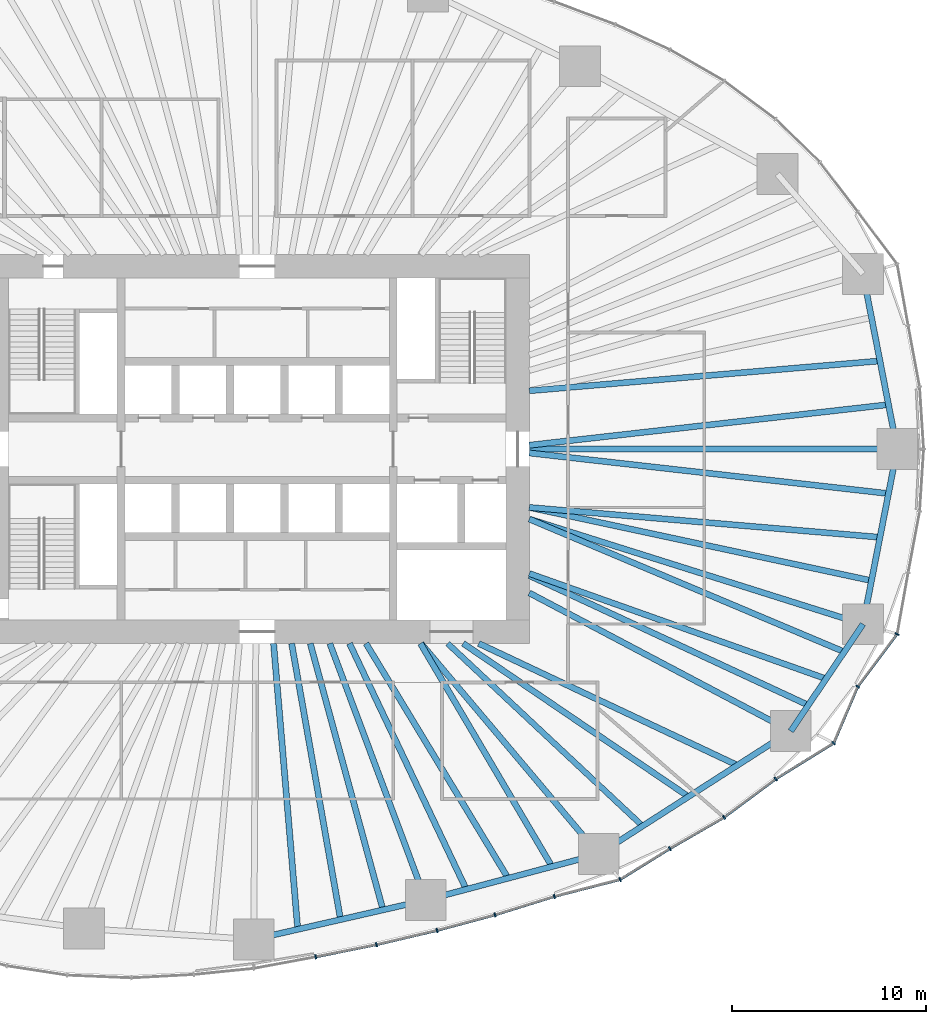
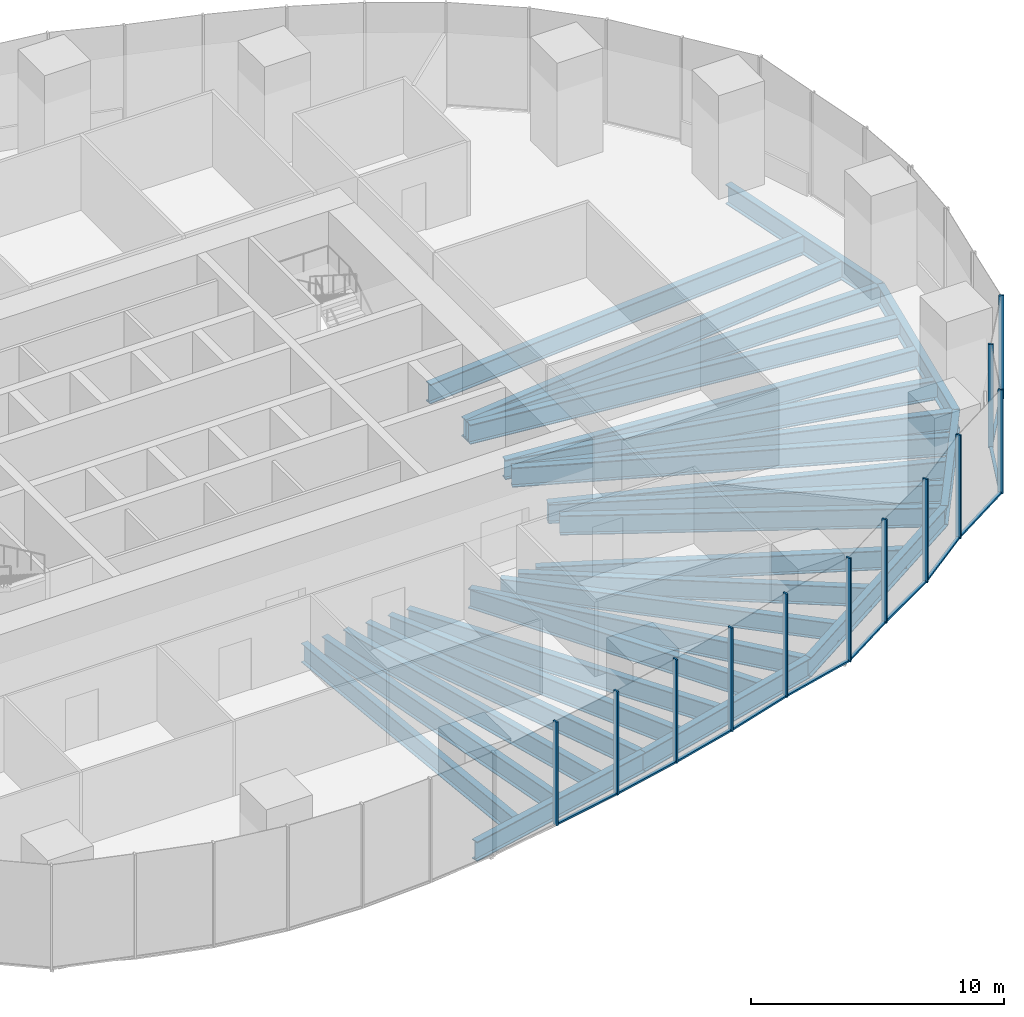
# One storey, part 4 of 20: 28 beams, 23 members, 5 elements without a shape of their own.
"""IFC4 building model written with IfcOpenShell, lengths in metres."""

from ifc_helpers import new_model, si_unit, direction, frame, origin, origin_2d, place, context, subcontext, project, spatial, rectangle, i_section, extrude, material, material_profile, profile_set, type_object, element, aggregate, save


model = new_model("IFC4")

# Units and contexts
model_context = context("Model", 3, precision=1e-05, world=origin(), true_north=direction((0.0, 1.0)))
body_context = subcontext(model_context, "Body", "Model", "MODEL_VIEW")
ifc_project = project(units=[si_unit("LENGTHUNIT", "METRE"), si_unit("AREAUNIT", "SQUARE_METRE"), si_unit("VOLUMEUNIT", "CUBIC_METRE"), si_unit("PLANEANGLEUNIT", "RADIAN"), si_unit("MASSUNIT", "GRAM", prefix="KILO")], contexts=[model_context])

# Site, building, storey
site_placement = place(None, origin())
site = spatial("IfcSite", under=ifc_project, at=site_placement, CompositionType="ELEMENT")
building_placement = place(site_placement, origin())
building = spatial("IfcBuilding", under=site, at=building_placement, Name="Ghaith Harvest Tower", CompositionType="ELEMENT")
storey_placement = place(building_placement, frame((0.0, 0.0, 45.0)))
storey = spatial("IfcBuildingStorey", under=building, at=storey_placement, Name="L09", CompositionType="ELEMENT", Elevation=45.0)

# Curtain wall, members
ifc_material_1 = material(Name="Black anodised aluminium and fritted glass", Category="aluminium")
curtain_wall_type = type_object("IfcCurtainWallType", Name="CW-F CURTAIN WALL", PredefinedType="NOTDEFINED", material=ifc_material_1)
curtain_wall_1_placement = place(storey_placement, origin())
curtain_wall_1 = element("IfcCurtainWall", 1, at=curtain_wall_1_placement, inside=storey, type_object=curtain_wall_type, Name="Curtain wall CW-F bay 16 L09", PredefinedType="NOTDEFINED")
ifc_material_2 = material(Name="Aluminium, black anodised", Category="aluminium")
ifc_material_profile_1 = material_profile(ifc_material_2, rectangle(XDim=0.080078125, YDim=0.219970703125, at=origin_2d()), Name="CW-F MULLION 80x220")
ifc_profile_set_1 = profile_set([ifc_material_profile_1], Name="Aluminium, black anodised")
member_type_1 = type_object("IfcMemberType", Name="CW-F MULLION 80x220", PredefinedType="MULLION", material=ifc_profile_set_1)
member_1_placement = place(storey_placement, frame((3.00927734375, -26.123291015625, 0.0), z_axis=(0.0, 0.0, 1.0), x_axis=(0.981818445714, 0.189822389762, 0.0)))
member_1 = element("IfcMember", 2, at=member_1_placement, type_object=member_type_1, Name="CW-F mullion 2 bay 16 L09", PredefinedType="MULLION", context=body_context, shape_type="SweptSolid", body=[
    extrude(rectangle(XDim=0.080078125, YDim=0.219970703125, at=origin_2d()), origin(), (0.0, 0.0, 1.0), 5.0),
])
member_2_placement = place(storey_placement, frame((6.136962890625, -25.495361328125, 0.0), z_axis=(0.0, 0.0, 1.0), x_axis=(0.977117973572, 0.212698062336, 0.0)))
member_2 = element("IfcMember", 3, at=member_2_placement, type_object=member_type_1, Name="CW-F mullion 3 bay 16 L09", PredefinedType="MULLION", context=body_context, shape_type="SweptSolid", body=[
    extrude(rectangle(XDim=0.080078125, YDim=0.219970703125, at=origin_2d()), origin(), (0.0, 0.0, 1.0), 5.0),
])

curtain_wall_2_placement = place(storey_placement, origin())
curtain_wall_2 = element("IfcCurtainWall", 4, at=curtain_wall_2_placement, inside=storey, type_object=curtain_wall_type, Name="Curtain wall CW-F bay 17 L09", PredefinedType="NOTDEFINED")
member_3_placement = place(storey_placement, frame((9.25732421875, -24.76318359375, 0.0), z_axis=(0.0, 0.0, 1.0), x_axis=(0.969903429248, 0.24348991341, 0.0)))
member_3 = element("IfcMember", 5, at=member_3_placement, type_object=member_type_1, Name="CW-F mullion 1 bay 17 L09", PredefinedType="MULLION", context=body_context, shape_type="SweptSolid", body=[
    extrude(rectangle(XDim=0.080078125, YDim=0.219970703125, at=origin_2d()), origin(), (0.0, 0.0, 1.0), 5.0),
])
member_4_placement = place(storey_placement, frame((12.234375, -23.964599609375, 0.0), z_axis=(0.0, 0.0, 1.0), x_axis=(0.960502189734, 0.278272426799, 0.0)))
member_4 = element("IfcMember", 6, at=member_4_placement, type_object=member_type_1, Name="CW-F mullion 2 bay 17 L09", PredefinedType="MULLION", context=body_context, shape_type="SweptSolid", body=[
    extrude(rectangle(XDim=0.080078125, YDim=0.219970703125, at=origin_2d()), origin(), (0.0, 0.0, 1.0), 5.0),
])
member_5_placement = place(storey_placement, frame((15.28759765625, -23.01611328125, 0.0), z_axis=(0.0, 0.0, 1.0), x_axis=(0.962313144018, 0.27194376781, 0.0)))
member_5 = element("IfcMember", 7, at=member_5_placement, type_object=member_type_1, Name="CW-F mullion 3 bay 17 L09", PredefinedType="MULLION", context=body_context, shape_type="SweptSolid", body=[
    extrude(rectangle(XDim=0.080078125, YDim=0.219970703125, at=origin_2d()), origin(), (0.0, 0.0, 1.0), 5.0),
])

curtain_wall_3_placement = place(storey_placement, origin())
curtain_wall_3 = element("IfcCurtainWall", 8, at=curtain_wall_3_placement, inside=storey, type_object=curtain_wall_type, Name="Curtain wall CW-F bay 18 L09", PredefinedType="NOTDEFINED")
member_6_placement = place(storey_placement, frame((18.674072265625, -22.144775390625, 0.0), z_axis=(0.0, 0.0, 1.0), x_axis=(0.923910199299, 0.382609387799, 0.0)))
member_6 = element("IfcMember", 9, at=member_6_placement, type_object=member_type_1, Name="CW-F mullion 1 bay 18 L09", PredefinedType="MULLION", context=body_context, shape_type="SweptSolid", body=[
    extrude(rectangle(XDim=0.080078125, YDim=0.219970703125, at=origin_2d()), origin(), (0.0, 0.0, 1.0), 5.0),
])
member_7_placement = place(storey_placement, frame((21.2353515625, -20.552978515625, 0.0), z_axis=(0.0, 0.0, 1.0), x_axis=(0.858140414942, 0.513415064293, 0.0)))
member_7 = element("IfcMember", 10, at=member_7_placement, type_object=member_type_1, Name="CW-F mullion 2 bay 18 L09", PredefinedType="MULLION", context=body_context, shape_type="SweptSolid", body=[
    extrude(rectangle(XDim=0.080078125, YDim=0.219970703125, at=origin_2d()), origin(), (0.0, 0.0, 1.0), 5.0),
])
member_8_placement = place(storey_placement, frame((24.018310546875, -18.947265625, 0.0), z_axis=(0.0, 0.0, 1.0), x_axis=(0.835443516838, 0.549576318788, 0.0)))
member_8 = element("IfcMember", 11, at=member_8_placement, type_object=member_type_1, Name="CW-F mullion 3 bay 18 L09", PredefinedType="MULLION", context=body_context, shape_type="SweptSolid", body=[
    extrude(rectangle(XDim=0.080078125, YDim=0.219970703125, at=origin_2d()), origin(), (0.0, 0.0, 1.0), 5.0),
])

curtain_wall_4_placement = place(storey_placement, origin())
curtain_wall_4 = element("IfcCurtainWall", 12, at=curtain_wall_4_placement, inside=storey, type_object=curtain_wall_type, Name="Curtain wall CW-F bay 19 L09", PredefinedType="NOTDEFINED")
member_9_placement = place(storey_placement, frame((26.673828125, -16.9755859375, 0.0), z_axis=(0.0, 0.0, 1.0), x_axis=(0.828002038115, 0.560725088504, 0.0)))
member_9 = element("IfcMember", 13, at=member_9_placement, type_object=member_type_1, Name="CW-F mullion 1 bay 19 L09", PredefinedType="MULLION", context=body_context, shape_type="SweptSolid", body=[
    extrude(rectangle(XDim=0.080078125, YDim=0.219970703125, at=origin_2d()), origin(), (0.0, 0.0, 1.0), 5.0),
])
member_10_placement = place(storey_placement, frame((29.659912109375, -15.126953125, 0.0), z_axis=(0.0, 0.0, 1.0), x_axis=(0.663604797505, 0.748083332743, 0.0)))
member_10 = element("IfcMember", 14, at=member_10_placement, type_object=member_type_1, Name="CW-F mullion 2 bay 19 L09", PredefinedType="MULLION", context=body_context, shape_type="SweptSolid", body=[
    extrude(rectangle(XDim=0.080078125, YDim=0.219970703125, at=origin_2d()), origin(), (0.0, 0.0, 1.0), 5.0),
])
member_11_placement = place(storey_placement, frame((30.896728515625, -12.215087890625, 0.0), z_axis=(0.0, 0.0, 1.0), x_axis=(0.5027946428, 0.864405892606, 0.0)))
member_11 = element("IfcMember", 15, at=member_11_placement, type_object=member_type_1, Name="CW-F mullion 3 bay 19 L09", PredefinedType="MULLION", context=body_context, shape_type="SweptSolid", body=[
    extrude(rectangle(XDim=0.080078125, YDim=0.219970703125, at=origin_2d()), origin(), (0.0, 0.0, 1.0), 5.0),
])

# Curtain wall, member
curtain_wall_5_placement = place(storey_placement, origin())
curtain_wall_5 = element("IfcCurtainWall", 16, at=curtain_wall_5_placement, inside=storey, type_object=curtain_wall_type, Name="Curtain wall CW-F bay 20 L09", PredefinedType="NOTDEFINED")
member_12_placement = place(storey_placement, frame((32.923583984375, -9.515625, 0.0), z_axis=(0.0, 0.0, 1.0), x_axis=(0.404701694001, 0.914448762301, 0.0)))
member_12 = element("IfcMember", 17, at=member_12_placement, type_object=member_type_1, Name="CW-F mullion 1 bay 20 L09", PredefinedType="MULLION", context=body_context, shape_type="SweptSolid", body=[
    extrude(rectangle(XDim=0.080078125, YDim=0.219970703125, at=origin_2d()), origin(), (0.0, 0.0, 1.0), 5.0),
])
aggregate(curtain_wall_5, [member_12])

# Member
ifc_material_3 = material(Name="Aluminium, black anodised", Category="aluminium")
ifc_material_profile_2 = material_profile(ifc_material_3, rectangle(XDim=0.139892578125, YDim=0.080078125, at=origin_2d()), Name="CW-F TRANSOM 140x80")
ifc_profile_set_2 = profile_set([ifc_material_profile_2], Name="Aluminium, black anodised")
member_type_2 = type_object("IfcMemberType", Name="CW-F TRANSOM 140x80", PredefinedType="USERDEFINED", material=ifc_profile_set_2)
member_13_placement = place(storey_placement, frame((3.04833984375, -26.115478515625, 0.0400390625), z_axis=(0.980432471193, 0.196855707129, 0.0), x_axis=(-0.196855707129, 0.980432471193, 0.0)))
member_13 = element("IfcMember", 18, at=member_13_placement, type_object=member_type_2, Name="CW-F transom 2 bay 16 L09", ObjectType="TRANSOM", PredefinedType="USERDEFINED", context=body_context, shape_type="SweptSolid", body=[
    extrude(rectangle(XDim=0.139892578125, YDim=0.080078125, at=origin_2d()), origin(), (0.0, 0.0, 1.0), 3.1103515625),
])

member_14_placement = place(storey_placement, frame((6.176025390625, -25.486083984375, 0.0400390625), z_axis=(0.973560415159, 0.228429678537, 0.0), x_axis=(-0.228429678537, 0.973560415159, 0.0)))
member_14 = element("IfcMember", 19, at=member_14_placement, type_object=member_type_2, Name="CW-F transom 3 bay 16 L09", ObjectType="TRANSOM", PredefinedType="USERDEFINED", context=body_context, shape_type="SweptSolid", body=[
    extrude(rectangle(XDim=0.139892578125, YDim=0.080078125, at=origin_2d()), origin(), (0.0, 0.0, 1.0), 3.125),
])

aggregate(curtain_wall_1, [member_1, member_13, member_2, member_14])

member_15_placement = place(storey_placement, frame((9.2958984375, -24.7529296875, 0.0400390625), z_axis=(0.965832908495, 0.259165570377, 0.0), x_axis=(-0.259165570377, 0.965832908495, 0.0)))
member_15 = element("IfcMember", 20, at=member_15_placement, type_object=member_type_2, Name="CW-F transom 1 bay 17 L09", ObjectType="TRANSOM", PredefinedType="USERDEFINED", context=body_context, shape_type="SweptSolid", body=[
    extrude(rectangle(XDim=0.139892578125, YDim=0.080078125, at=origin_2d()), origin(), (0.0, 0.0, 1.0), 3.002197265625),
])

member_16_placement = place(storey_placement, frame((12.2724609375, -23.95263671875, 0.0400390625), z_axis=(0.954998362353, 0.296611071781, 0.0), x_axis=(-0.296611071781, 0.954998362353, 0.0)))
member_16 = element("IfcMember", 21, at=member_16_placement, type_object=member_type_2, Name="CW-F transom 2 bay 17 L09", ObjectType="TRANSOM", PredefinedType="USERDEFINED", context=body_context, shape_type="SweptSolid", body=[
    extrude(rectangle(XDim=0.139892578125, YDim=0.080078125, at=origin_2d()), origin(), (0.0, 0.0, 1.0), 3.1171875),
])

member_17_placement = place(storey_placement, frame((15.326171875, -23.006103515625, 0.0400390625), z_axis=(0.968463874592, 0.249154015841, 0.0), x_axis=(-0.249154015841, 0.968463874592, 0.0)))
member_17 = element("IfcMember", 22, at=member_17_placement, type_object=member_type_2, Name="CW-F transom 3 bay 17 L09", ObjectType="TRANSOM", PredefinedType="USERDEFINED", context=body_context, shape_type="SweptSolid", body=[
    extrude(rectangle(XDim=0.139892578125, YDim=0.080078125, at=origin_2d()), origin(), (0.0, 0.0, 1.0), 3.416748046875),
])

aggregate(curtain_wall_2, [member_3, member_15, member_4, member_16, member_5, member_17])

member_18_placement = place(storey_placement, frame((18.7080078125, -22.12353515625, 0.0400390625), z_axis=(0.849383069026, 0.527776848726, 0.0), x_axis=(-0.527776848726, 0.849383069026, 0.0)))
member_18 = element("IfcMember", 23, at=member_18_placement, type_object=member_type_2, Name="CW-F transom 1 bay 18 L09", ObjectType="TRANSOM", PredefinedType="USERDEFINED", context=body_context, shape_type="SweptSolid", body=[
    extrude(rectangle(XDim=0.139892578125, YDim=0.080078125, at=origin_2d()), origin(), (0.0, 0.0, 1.0), 2.935546875),
])

member_19_placement = place(storey_placement, frame((21.27001953125, -20.532958984375, 0.0400390625), z_axis=(0.866168719914, 0.499751686983, 0.0), x_axis=(-0.499751686983, 0.866168719914, 0.0)))
member_19 = element("IfcMember", 24, at=member_19_placement, type_object=member_type_2, Name="CW-F transom 2 bay 18 L09", ObjectType="TRANSOM", PredefinedType="USERDEFINED", context=body_context, shape_type="SweptSolid", body=[
    extrude(rectangle(XDim=0.139892578125, YDim=0.080078125, at=origin_2d()), origin(), (0.0, 0.0, 1.0), 3.1328125),
])

member_20_placement = place(storey_placement, frame((24.050537109375, -18.92333984375, 0.0400390625), z_axis=(0.802877287823, 0.596144328748, 0.0), x_axis=(-0.596144328748, 0.802877287823, 0.0)))
member_20 = element("IfcMember", 25, at=member_20_placement, type_object=member_type_2, Name="CW-F transom 3 bay 18 L09", ObjectType="TRANSOM", PredefinedType="USERDEFINED", context=body_context, shape_type="SweptSolid", body=[
    extrude(rectangle(XDim=0.139892578125, YDim=0.080078125, at=origin_2d()), origin(), (0.0, 0.0, 1.0), 3.2275390625),
])

aggregate(curtain_wall_3, [member_6, member_18, member_7, member_19, member_8, member_20])

member_21_placement = place(storey_placement, frame((26.707763671875, -16.954345703125, 0.0400390625), z_axis=(0.850260598386, 0.526361961802, 0.0), x_axis=(-0.526361961802, 0.850260598386, 0.0)))
member_21 = element("IfcMember", 26, at=member_21_placement, type_object=member_type_2, Name="CW-F transom 1 bay 19 L09", ObjectType="TRANSOM", PredefinedType="USERDEFINED", context=body_context, shape_type="SweptSolid", body=[
    extrude(rectangle(XDim=0.139892578125, YDim=0.080078125, at=origin_2d()), origin(), (0.0, 0.0, 1.0), 3.431884765625),
])

member_22_placement = place(storey_placement, frame((29.675537109375, -15.090087890625, 0.0400390625), z_axis=(0.390936107494, 0.92041781809, 0.0), x_axis=(-0.92041781809, 0.390936107494, 0.0)))
member_22 = element("IfcMember", 27, at=member_22_placement, type_object=member_type_2, Name="CW-F transom 2 bay 19 L09", ObjectType="TRANSOM", PredefinedType="USERDEFINED", context=body_context, shape_type="SweptSolid", body=[
    extrude(rectangle(XDim=0.139892578125, YDim=0.080078125, at=origin_2d()), origin(), (0.0, 0.0, 1.0), 3.083740234375),
])

member_23_placement = place(storey_placement, frame((30.920654296875, -12.18310546875, 0.0400390625), z_axis=(0.600462135687, 0.799653189581, 0.0), x_axis=(-0.799653189581, 0.600462135687, 0.0)))
member_23 = element("IfcMember", 28, at=member_23_placement, type_object=member_type_2, Name="CW-F transom 3 bay 19 L09", ObjectType="TRANSOM", PredefinedType="USERDEFINED", context=body_context, shape_type="SweptSolid", body=[
    extrude(rectangle(XDim=0.139892578125, YDim=0.080078125, at=origin_2d()), origin(), (0.0, 0.0, 1.0), 3.2958984375),
])

aggregate(curtain_wall_4, [member_9, member_21, member_10, member_22, member_11, member_23])

# Beams
ifc_material_4 = material(Name="Steel ASTM A992 Grade 50", Category="steel")
ifc_material_profile_3 = material_profile(ifc_material_4, i_section(OverallWidth=0.306884765625, OverallDepth=0.94189453125, WebThickness=0.022216796875, FlangeThickness=0.039794921875, at=origin_2d()), Name="W920X345")
ifc_profile_set_3 = profile_set([ifc_material_profile_3], Name="Steel ASTM A992 Grade 50")
beam_type_1 = type_object("IfcBeamType", Name="E920-345 W920X345", PredefinedType="SPANDREL", material=ifc_profile_set_3)
beam_1_placement = place(storey_placement, frame((32.925048828125, 0.0, -0.6708984375), z_axis=(-0.191653479461, 0.981462655332, 0.0), x_axis=(-0.981462655332, -0.191653479461, 0.0)))
element("IfcBeam", 29, at=beam_1_placement, inside=storey, type_object=beam_type_1, Name="Edge beam E01 L09", PredefinedType="SPANDREL", context=body_context, shape_type="SweptSolid", body=[
    extrude(i_section(OverallWidth=0.306884765625, OverallDepth=0.94189453125, WebThickness=0.022216796875, FlangeThickness=0.039794921875, at=origin_2d()), origin(), (0.0, 0.0, 1.0), 9.17822265625),
])
beam_2_placement = place(storey_placement, frame((-0.173095703125, -25.22412109375, -0.6708984375), z_axis=(0.974881709383, 0.22272326486, 0.0), x_axis=(-0.22272326486, 0.974881709383, 0.0)))
element("IfcBeam", 30, at=beam_2_placement, inside=storey, type_object=beam_type_1, Name="Edge beam E16 L09", PredefinedType="SPANDREL", context=body_context, shape_type="SweptSolid", body=[
    extrude(i_section(OverallWidth=0.306884765625, OverallDepth=0.94189453125, WebThickness=0.022216796875, FlangeThickness=0.039794921875, at=origin_2d()), origin(), (0.0, 0.0, 1.0), 9.0751953125),
])
beam_3_placement = place(storey_placement, frame((8.674072265625, -23.202880859375, -0.6708984375), z_axis=(0.966419097109, 0.256971065963, 0.0), x_axis=(-0.256971065963, 0.966419097109, 0.0)))
element("IfcBeam", 31, at=beam_3_placement, inside=storey, type_object=beam_type_1, Name="Edge beam E17 L09", PredefinedType="SPANDREL", context=body_context, shape_type="SweptSolid", body=[
    extrude(i_section(OverallWidth=0.306884765625, OverallDepth=0.94189453125, WebThickness=0.022216796875, FlangeThickness=0.039794921875, at=origin_2d()), origin(), (0.0, 0.0, 1.0), 9.20703125),
])
beam_4_placement = place(storey_placement, frame((17.572021484375, -20.8369140625, -0.6708984375), z_axis=(0.842014649705, 0.539454659524, 0.0), x_axis=(-0.539454659524, 0.842014649705, 0.0)))
element("IfcBeam", 32, at=beam_4_placement, inside=storey, type_object=beam_type_1, Name="Edge beam E18 L09", PredefinedType="SPANDREL", context=body_context, shape_type="SweptSolid", body=[
    extrude(i_section(OverallWidth=0.306884765625, OverallDepth=0.94189453125, WebThickness=0.022216796875, FlangeThickness=0.039794921875, at=origin_2d()), origin(), (0.0, 0.0, 1.0), 11.730224609375),
])
beam_5_placement = place(storey_placement, frame((27.448974609375, -14.509033203125, -0.6708984375), z_axis=(0.559874470017, 0.828577442261, 0.0), x_axis=(-0.828577442261, 0.559874470017, 0.0)))
element("IfcBeam", 33, at=beam_5_placement, inside=storey, type_object=beam_type_1, Name="Edge beam E19 L09", PredefinedType="SPANDREL", context=body_context, shape_type="SweptSolid", body=[
    extrude(i_section(OverallWidth=0.306884765625, OverallDepth=0.94189453125, WebThickness=0.022216796875, FlangeThickness=0.039794921875, at=origin_2d()), origin(), (0.0, 0.0, 1.0), 6.63916015625),
])
beam_6_placement = place(storey_placement, frame((31.166015625, -9.008056640625, -0.6708984375), z_axis=(0.191653479461, 0.981462655332, 0.0), x_axis=(-0.981462655332, 0.191653479461, 0.0)))
element("IfcBeam", 34, at=beam_6_placement, inside=storey, type_object=beam_type_1, Name="Edge beam E20 L09", PredefinedType="SPANDREL", context=body_context, shape_type="SweptSolid", body=[
    extrude(i_section(OverallWidth=0.306884765625, OverallDepth=0.94189453125, WebThickness=0.022216796875, FlangeThickness=0.039794921875, at=origin_2d()), origin(), (0.0, 0.0, 1.0), 9.17822265625),
])
ifc_material_5 = material(Name="Steel ASTM A992 Grade 50", Category="steel")
ifc_material_profile_4 = material_profile(ifc_material_5, i_section(OverallWidth=0.306884765625, OverallDepth=0.94189453125, WebThickness=0.022216796875, FlangeThickness=0.039794921875, at=origin_2d()), Name="W920X345")
ifc_profile_set_4 = profile_set([ifc_material_profile_4], Name="Steel ASTM A992 Grade 50")
beam_type_2 = type_object("IfcBeamType", Name="G920-345 W920X345", PredefinedType="BEAM", material=ifc_profile_set_4)
beam_7_placement = place(storey_placement, frame((14.0, 0.0, -0.6708984375), z_axis=(1.0, 0.0, 0.0), x_axis=(0.0, 1.0, 0.0)))
element("IfcBeam", 35, at=beam_7_placement, inside=storey, type_object=beam_type_2, Name="Radial girder G01 L09", PredefinedType="BEAM", context=body_context, shape_type="SweptSolid", body=[
    extrude(i_section(OverallWidth=0.306884765625, OverallDepth=0.94189453125, WebThickness=0.022216796875, FlangeThickness=0.039794921875, at=origin_2d()), origin(), (0.0, 0.0, 1.0), 18.925048828125),
])
beam_8_placement = place(storey_placement, frame((3.73828125, -10.0, -0.6708984375), z_axis=(0.350172283717, -0.936685310932, 0.0), x_axis=(0.936685310932, 0.350172283717, 0.0)))
element("IfcBeam", 36, at=beam_8_placement, inside=storey, type_object=beam_type_2, Name="Radial girder G17 L09", PredefinedType="BEAM", context=body_context, shape_type="SweptSolid", body=[
    extrude(i_section(OverallWidth=0.306884765625, OverallDepth=0.94189453125, WebThickness=0.022216796875, FlangeThickness=0.039794921875, at=origin_2d()), origin(), (0.0, 0.0, 1.0), 14.09521484375),
])
beam_9_placement = place(storey_placement, frame((8.4326171875, -10.0, -0.6708984375), z_axis=(0.644696130938, -0.764438943771, 0.0), x_axis=(0.764438943771, 0.644696130938, 0.0)))
element("IfcBeam", 37, at=beam_9_placement, inside=storey, type_object=beam_type_2, Name="Radial girder G18 L09", PredefinedType="BEAM", context=body_context, shape_type="SweptSolid", body=[
    extrude(i_section(OverallWidth=0.306884765625, OverallDepth=0.94189453125, WebThickness=0.022216796875, FlangeThickness=0.039794921875, at=origin_2d()), origin(), (0.0, 0.0, 1.0), 14.17626953125),
])
beam_10_placement = place(storey_placement, frame((14.0, -7.39990234375, -0.6708984375), z_axis=(0.884084425997, -0.467327216959, 0.0), x_axis=(0.467327216959, 0.884084425997, 0.0)))
element("IfcBeam", 38, at=beam_10_placement, inside=storey, type_object=beam_type_2, Name="Radial girder G19 L09", PredefinedType="BEAM", context=body_context, shape_type="SweptSolid", body=[
    extrude(i_section(OverallWidth=0.306884765625, OverallDepth=0.94189453125, WebThickness=0.022216796875, FlangeThickness=0.039794921875, at=origin_2d()), origin(), (0.0, 0.0, 1.0), 15.21240234375),
])
beam_11_placement = place(storey_placement, frame((14.0, -3.60009765625, -0.6708984375), z_axis=(0.953788071692, -0.300480139607, 0.0), x_axis=(0.300480139607, 0.953788071692, 0.0)))
element("IfcBeam", 39, at=beam_11_placement, inside=storey, type_object=beam_type_2, Name="Radial girder G20 L09", PredefinedType="BEAM", context=body_context, shape_type="SweptSolid", body=[
    extrude(i_section(OverallWidth=0.306884765625, OverallDepth=0.94189453125, WebThickness=0.022216796875, FlangeThickness=0.039794921875, at=origin_2d()), origin(), (0.0, 0.0, 1.0), 17.997802734375),
])
ifc_material_6 = material(Name="Steel ASTM A992 Grade 50", Category="steel")
ifc_material_profile_5 = material_profile(ifc_material_6, i_section(OverallWidth=0.2939453125, OverallDepth=0.85107421875, WebThickness=0.01611328125, FlangeThickness=0.02685546875, at=origin_2d()), Name="W840X226")
ifc_profile_set_5 = profile_set([ifc_material_profile_5], Name="Steel ASTM A992 Grade 50")
beam_type_3 = type_object("IfcBeamType", Name="J840-226 W840X226", PredefinedType="JOIST", material=ifc_profile_set_5)
beam_12_placement = place(storey_placement, frame((9.800048828125, -10.0, -0.62548828125), z_axis=(0.72994990542, -0.683500647825, 0.0), x_axis=(0.683500647825, 0.72994990542, 0.0)))
element("IfcBeam", 40, at=beam_12_placement, inside=storey, type_object=beam_type_3, Name="Joist J18.1 L09", PredefinedType="JOIST", context=body_context, shape_type="SweptSolid", body=[
    extrude(i_section(OverallWidth=0.2939453125, OverallDepth=0.85107421875, WebThickness=0.01611328125, FlangeThickness=0.02685546875, at=origin_2d()), origin(), (0.0, 0.0, 1.0), 13.7392578125),
])
ifc_material_7 = material(Name="Steel ASTM A992 Grade 50", Category="steel")
ifc_material_profile_6 = material_profile(ifc_material_7, i_section(OverallWidth=0.31005859375, OverallDepth=0.927001953125, WebThickness=0.019287109375, FlangeThickness=0.031982421875, at=origin_2d()), Name="W920X289")
ifc_profile_set_6 = profile_set([ifc_material_profile_6], Name="Steel ASTM A992 Grade 50")
beam_type_4 = type_object("IfcBeamType", Name="J920-289 W920X289", PredefinedType="JOIST", material=ifc_profile_set_6)
beam_13_placement = place(storey_placement, frame((0.844970703125, -10.0, -0.66357421875), z_axis=(0.084208979751, -0.996448115924, 0.0), x_axis=(0.996448115924, 0.084208979751, 0.0)))
element("IfcBeam", 41, at=beam_13_placement, inside=storey, type_object=beam_type_4, Name="Joist J16.1 L09", PredefinedType="JOIST", context=body_context, shape_type="SweptSolid", body=[
    extrude(i_section(OverallWidth=0.31005859375, OverallDepth=0.927001953125, WebThickness=0.019287109375, FlangeThickness=0.031982421875, at=origin_2d()), origin(), (0.0, 0.0, 1.0), 14.760009765625),
])
beam_14_placement = place(storey_placement, frame((1.772705078125, -10.0, -0.66357421875), z_axis=(0.174552818486, -0.98464781194, 0.0), x_axis=(0.98464781194, 0.174552818486, 0.0)))
element("IfcBeam", 42, at=beam_14_placement, inside=storey, type_object=beam_type_4, Name="Joist J16.2 L09", PredefinedType="JOIST", context=body_context, shape_type="SweptSolid", body=[
    extrude(i_section(OverallWidth=0.31005859375, OverallDepth=0.927001953125, WebThickness=0.019287109375, FlangeThickness=0.031982421875, at=origin_2d()), origin(), (0.0, 0.0, 1.0), 14.42578125),
])
beam_15_placement = place(storey_placement, frame((2.73095703125, -10.0, -0.66357421875), z_axis=(0.263463446032, -0.964669379946, 0.0), x_axis=(0.964669379946, 0.263463446032, 0.0)))
element("IfcBeam", 43, at=beam_15_placement, inside=storey, type_object=beam_type_4, Name="Joist J16.3 L09", PredefinedType="JOIST", context=body_context, shape_type="SweptSolid", body=[
    extrude(i_section(OverallWidth=0.31005859375, OverallDepth=0.927001953125, WebThickness=0.019287109375, FlangeThickness=0.031982421875, at=origin_2d()), origin(), (0.0, 0.0, 1.0), 14.20751953125),
])
beam_16_placement = place(storey_placement, frame((4.75, -10.0, -0.66357421875), z_axis=(0.429067127754, -0.903272605519, 0.0), x_axis=(0.903272605519, 0.429067127754, 0.0)))
element("IfcBeam", 44, at=beam_16_placement, inside=storey, type_object=beam_type_4, Name="Joist J17.1 L09", PredefinedType="JOIST", context=body_context, shape_type="SweptSolid", body=[
    extrude(i_section(OverallWidth=0.31005859375, OverallDepth=0.927001953125, WebThickness=0.019287109375, FlangeThickness=0.031982421875, at=origin_2d()), origin(), (0.0, 0.0, 1.0), 14.003173828125),
])
beam_17_placement = place(storey_placement, frame((5.60009765625, -10.0, -0.66357421875), z_axis=(0.517828660199, -0.855484353262, 0.0), x_axis=(0.855484353262, 0.517828660199, 0.0)))
element("IfcBeam", 45, at=beam_17_placement, inside=storey, type_object=beam_type_4, Name="Joist J17.2 L09", PredefinedType="JOIST", context=body_context, shape_type="SweptSolid", body=[
    extrude(i_section(OverallWidth=0.31005859375, OverallDepth=0.927001953125, WebThickness=0.019287109375, FlangeThickness=0.031982421875, at=origin_2d()), origin(), (0.0, 0.0, 1.0), 14.11669921875),
])
beam_18_placement = place(storey_placement, frame((8.39990234375, -10.0, -0.66357421875), z_axis=(0.507894375661, -0.861419353841, 0.0), x_axis=(0.861419353841, 0.507894375661, 0.0)))
element("IfcBeam", 46, at=beam_18_placement, inside=storey, type_object=beam_type_4, Name="Joist J17.3 L09", PredefinedType="JOIST", context=body_context, shape_type="SweptSolid", body=[
    extrude(i_section(OverallWidth=0.31005859375, OverallDepth=0.927001953125, WebThickness=0.019287109375, FlangeThickness=0.031982421875, at=origin_2d()), origin(), (0.0, 0.0, 1.0), 13.32275390625),
])
beam_19_placement = place(storey_placement, frame((10.60009765625, -10.0, -0.66357421875), z_axis=(0.826982555637, -0.562227580853, 0.0), x_axis=(0.562227580853, 0.826982555637, 0.0)))
element("IfcBeam", 47, at=beam_19_placement, inside=storey, type_object=beam_type_4, Name="Joist J18.2 L09", PredefinedType="JOIST", context=body_context, shape_type="SweptSolid", body=[
    extrude(i_section(OverallWidth=0.31005859375, OverallDepth=0.927001953125, WebThickness=0.019287109375, FlangeThickness=0.031982421875, at=origin_2d()), origin(), (0.0, 0.0, 1.0), 14.013671875),
])
beam_20_placement = place(storey_placement, frame((11.39990234375, -10.0, -0.66357421875), z_axis=(0.904709580205, -0.426028843489, 0.0), x_axis=(0.426028843489, 0.904709580205, 0.0)))
element("IfcBeam", 48, at=beam_20_placement, inside=storey, type_object=beam_type_4, Name="Joist J18.3 L09", PredefinedType="JOIST", context=body_context, shape_type="SweptSolid", body=[
    extrude(i_section(OverallWidth=0.31005859375, OverallDepth=0.927001953125, WebThickness=0.019287109375, FlangeThickness=0.031982421875, at=origin_2d()), origin(), (0.0, 0.0, 1.0), 14.708251953125),
])
beam_21_placement = place(storey_placement, frame((14.0, -6.506103515625, -0.66357421875), z_axis=(0.906865804441, -0.421419521067, 0.0), x_axis=(0.421419521067, 0.906865804441, 0.0)))
element("IfcBeam", 49, at=beam_21_placement, inside=storey, type_object=beam_type_4, Name="Joist J19.1 L09", PredefinedType="JOIST", context=body_context, shape_type="SweptSolid", body=[
    extrude(i_section(OverallWidth=0.31005859375, OverallDepth=0.927001953125, WebThickness=0.019287109375, FlangeThickness=0.031982421875, at=origin_2d()), origin(), (0.0, 0.0, 1.0), 15.824462890625),
])
ifc_material_8 = material(Name="Steel ASTM A992 Grade 50", Category="steel")
ifc_material_profile_7 = material_profile(ifc_material_8, i_section(OverallWidth=0.306884765625, OverallDepth=0.94189453125, WebThickness=0.022216796875, FlangeThickness=0.039794921875, at=origin_2d()), Name="W920X345")
ifc_profile_set_7 = profile_set([ifc_material_profile_7], Name="Steel ASTM A992 Grade 50")
beam_type_5 = type_object("IfcBeamType", Name="J920-345 W920X345", PredefinedType="JOIST", material=ifc_profile_set_7)
beam_22_placement = place(storey_placement, frame((14.0, 0.199951171875, -0.6708984375), z_axis=(0.993675458798, 0.112290171352, 0.0), x_axis=(-0.112290171352, 0.993675458798, 0.0)))
element("IfcBeam", 50, at=beam_22_placement, inside=storey, type_object=beam_type_5, Name="Joist J01.1 L09", PredefinedType="JOIST", context=body_context, shape_type="SweptSolid", body=[
    extrude(i_section(OverallWidth=0.306884765625, OverallDepth=0.94189453125, WebThickness=0.022216796875, FlangeThickness=0.039794921875, at=origin_2d()), origin(), (0.0, 0.0, 1.0), 18.595947265625),
])
beam_23_placement = place(storey_placement, frame((14.0, 3.0, -0.6708984375), z_axis=(0.996389274474, 0.084902377546, 0.0), x_axis=(-0.084902377546, 0.996389274474, 0.0)))
element("IfcBeam", 51, at=beam_23_placement, inside=storey, type_object=beam_type_5, Name="Joist J01.2 L09", PredefinedType="JOIST", context=body_context, shape_type="SweptSolid", body=[
    extrude(i_section(OverallWidth=0.306884765625, OverallDepth=0.94189453125, WebThickness=0.022216796875, FlangeThickness=0.039794921875, at=origin_2d()), origin(), (0.0, 0.0, 1.0), 18.1044921875),
])
beam_24_placement = place(storey_placement, frame((14.0, -6.39990234375, -0.6708984375), z_axis=(0.942399857711, -0.334488427581, 0.0), x_axis=(0.334488427581, 0.942399857711, 0.0)))
element("IfcBeam", 52, at=beam_24_placement, inside=storey, type_object=beam_type_5, Name="Joist J19.2 L09", PredefinedType="JOIST", context=body_context, shape_type="SweptSolid", body=[
    extrude(i_section(OverallWidth=0.306884765625, OverallDepth=0.94189453125, WebThickness=0.022216796875, FlangeThickness=0.039794921875, at=origin_2d()), origin(), (0.0, 0.0, 1.0), 16.199951171875),
])
beam_25_placement = place(storey_placement, frame((14.0, -3.60009765625, -0.6708984375), z_axis=(0.921432978784, -0.388537341333, 0.0), x_axis=(0.388537341333, 0.921432978784, 0.0)))
element("IfcBeam", 53, at=beam_25_placement, inside=storey, type_object=beam_type_5, Name="Joist J19.3 L09", PredefinedType="JOIST", context=body_context, shape_type="SweptSolid", body=[
    extrude(i_section(OverallWidth=0.306884765625, OverallDepth=0.94189453125, WebThickness=0.022216796875, FlangeThickness=0.039794921875, at=origin_2d()), origin(), (0.0, 0.0, 1.0), 17.585205078125),
])
beam_26_placement = place(storey_placement, frame((14.0, -3.0, -0.6708984375), z_axis=(0.977831380626, -0.209393865869, 0.0), x_axis=(0.209393865869, 0.977831380626, 0.0)))
element("IfcBeam", 54, at=beam_26_placement, inside=storey, type_object=beam_type_5, Name="Joist J20.1 L09", PredefinedType="JOIST", context=body_context, shape_type="SweptSolid", body=[
    extrude(i_section(OverallWidth=0.306884765625, OverallDepth=0.94189453125, WebThickness=0.022216796875, FlangeThickness=0.039794921875, at=origin_2d()), origin(), (0.0, 0.0, 1.0), 18.002197265625),
])
beam_27_placement = place(storey_placement, frame((14.0, -3.0, -0.6708984375), z_axis=(0.996389274474, -0.084902377546, 0.0), x_axis=(0.084902377546, 0.996389274474, 0.0)))
element("IfcBeam", 55, at=beam_27_placement, inside=storey, type_object=beam_type_5, Name="Joist J20.2 L09", PredefinedType="JOIST", context=body_context, shape_type="SweptSolid", body=[
    extrude(i_section(OverallWidth=0.306884765625, OverallDepth=0.94189453125, WebThickness=0.022216796875, FlangeThickness=0.039794921875, at=origin_2d()), origin(), (0.0, 0.0, 1.0), 18.1044921875),
])
beam_28_placement = place(storey_placement, frame((14.0, -0.199951171875, -0.6708984375), z_axis=(0.993675458798, -0.112290171352, 0.0), x_axis=(0.112290171352, 0.993675458798, 0.0)))
element("IfcBeam", 56, at=beam_28_placement, inside=storey, type_object=beam_type_5, Name="Joist J20.3 L09", PredefinedType="JOIST", context=body_context, shape_type="SweptSolid", body=[
    extrude(i_section(OverallWidth=0.306884765625, OverallDepth=0.94189453125, WebThickness=0.022216796875, FlangeThickness=0.039794921875, at=origin_2d()), origin(), (0.0, 0.0, 1.0), 18.595947265625),
])

save(model, "model.ifc")
